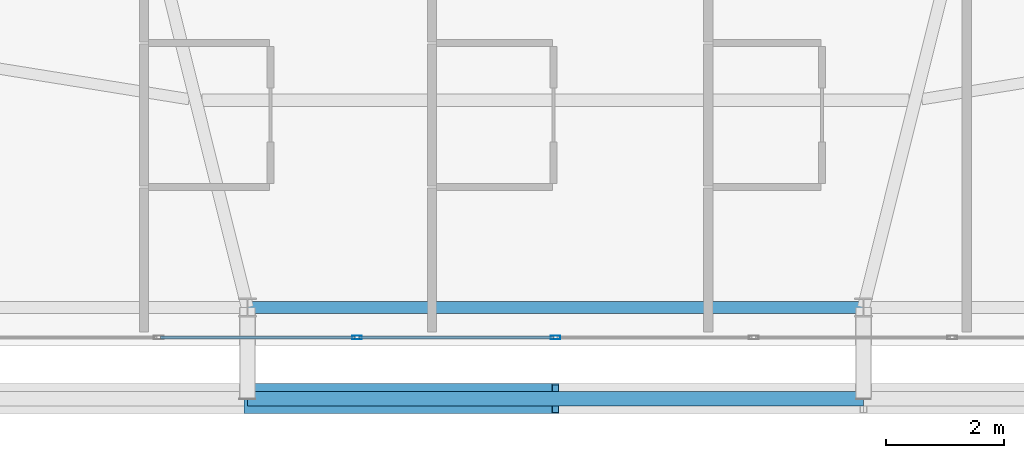
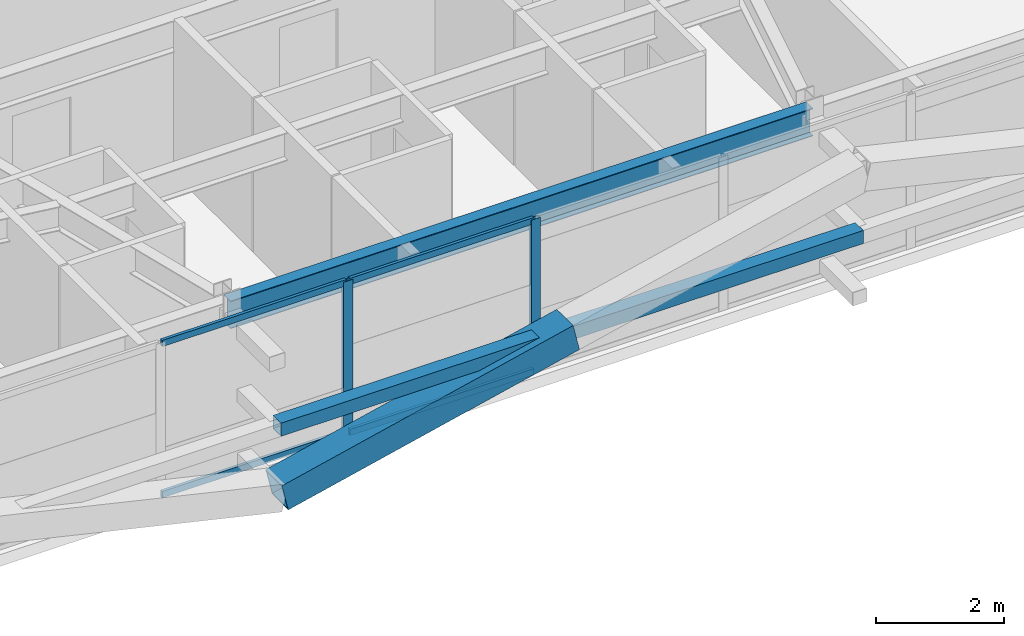
# One storey, part 12 of 59: 8 members, 1 beam, 1 element without a shape of its own.
"""IFC4 building model written with IfcOpenShell, lengths in metres."""

from ifc_helpers import new_model, si_unit, direction, frame, origin, origin_2d, place, context, subcontext, project, spatial, hollow_rectangle, i_section, extrude, source, transform, mapped, material, layer, layer_set, material_profile, profile_set, type_object, element, aggregate, save


model = new_model("IFC4")

# Units and contexts
model_context = context("Model", 3, precision=1e-05, world=origin(), true_north=direction((0.0, 1.0)))
body_context = subcontext(model_context, "Body", "Model", "MODEL_VIEW")
ifc_project = project(units=[si_unit("LENGTHUNIT", "METRE"), si_unit("AREAUNIT", "SQUARE_METRE"), si_unit("VOLUMEUNIT", "CUBIC_METRE"), si_unit("PLANEANGLEUNIT", "RADIAN"), si_unit("MASSUNIT", "GRAM", prefix="KILO")], contexts=[model_context])

# Site, building, storey
site_placement = place(None, origin())
site = spatial("IfcSite", under=ifc_project, at=site_placement, CompositionType="ELEMENT")
building_placement = place(site_placement, origin())
building = spatial("IfcBuilding", under=site, at=building_placement, Name="Taldren Reach Tower", CompositionType="ELEMENT")
storey_placement = place(building_placement, frame((0.0, 0.0, 23.10009765625)))
storey = spatial("IfcBuildingStorey", under=building, at=storey_placement, Name="L06", CompositionType="ELEMENT", Elevation=23.10009765625)

# Beam
ifc_material_1 = material(Name="Steel Gr 350 (350PLUS)", Category="steel")
ifc_material_profile_1 = material_profile(ifc_material_1, i_section(OverallWidth=0.208984375, OverallDepth=0.528076171875, WebThickness=0.009521484375, FlangeThickness=0.01318359375, at=origin_2d()), Name="530UB82.0")
ifc_profile_set_1 = profile_set([ifc_material_profile_1], Name="Steel Gr 350 (350PLUS)")
beam_type = type_object("IfcBeamType", Name="SP-UB530B", PredefinedType="SPANDREL", material=ifc_profile_set_1)
shared_shape_1 = source(origin(), body_context, "Body", "SweptSolid", [
    extrude(i_section(OverallWidth=0.208984375, OverallDepth=0.528076171875, WebThickness=0.009521484375, FlangeThickness=0.01318359375, at=origin_2d()), origin(), (0.0, 0.0, 1.0), 10.47998046875),
])
beam_placement = place(storey_placement, frame((29.760009765625, 2.14990234375, 2.666015625), z_axis=(1.0, 0.0, 0.0), x_axis=(0.0, 1.0, 0.0)))
element("IfcBeam", 1, at=beam_placement, inside=storey, type_object=beam_type, Name="Perimeter spandrel B1 S3-S4 L06", PredefinedType="SPANDREL", context=body_context, shape_type="MappedRepresentation", body=[
    mapped(shared_shape_1, transform((0.0, 0.0, 0.0), scale=1.0)),
])

# Members
ifc_material_2 = material(Name="Steel Gr 450 (C450L0)", Category="steel")
ifc_material_profile_2 = material_profile(ifc_material_2, hollow_rectangle(XDim=0.510009765625, YDim=0.510009765625, WallThickness=0.02001953125, at=origin_2d()), Name="510x510x20.0SHS")
ifc_profile_set_2 = profile_set([ifc_material_profile_2], Name="Steel Gr 450 (C450L0)")
member_type_1 = type_object("IfcMemberType", Name="MB-EXO508", PredefinedType="BRACE", material=ifc_profile_set_2)
shared_shape_2 = source(origin(), body_context, "Body", "SweptSolid", [
    extrude(hollow_rectangle(XDim=0.510009765625, YDim=0.510009765625, WallThickness=0.02001953125, at=origin_2d()), origin(), (0.0, 0.0, 1.0), 5.37890625),
])
member_1_placement = place(storey_placement, frame((29.760009765625, 0.60009765625, 0.219970703125), z_axis=(0.974161966843, 0.0, 0.225850531007), x_axis=(0.0, 1.0, 0.0)))
element("IfcMember", 2, at=member_1_placement, inside=storey, type_object=member_type_1, Name="Exoskeleton Diagrid Brace B1-S3 L06", PredefinedType="BRACE", context=body_context, shape_type="MappedRepresentation", body=[
    mapped(shared_shape_2, transform((0.0, 0.0, 0.0), scale=1.0)),
])
ifc_material_3 = material(Name="Steel Gr 350 (C350L0)", Category="steel")
ifc_material_profile_3 = material_profile(ifc_material_3, hollow_rectangle(XDim=0.25, YDim=0.25, WallThickness=0.010009765625, at=origin_2d()), Name="250x250x10.0SHS")
ifc_profile_set_3 = profile_set([ifc_material_profile_3], Name="Steel Gr 350 (C350L0)")
member_type_2 = type_object("IfcMemberType", Name="MB-POST250", PredefinedType="POST", material=ifc_profile_set_3)
shared_shape_3 = source(origin(), body_context, "Body", "SweptSolid", [
    extrude(hollow_rectangle(XDim=0.25, YDim=0.25, WallThickness=0.010009765625, at=origin_2d()), origin(), (0.0, 0.0, 1.0), 10.47998046875),
])
member_2_placement = place(storey_placement, frame((29.760009765625, 0.60009765625, 1.434814453125), z_axis=(1.0, 0.0, 0.0), x_axis=(0.0, 1.0, 0.0)))
element("IfcMember", 3, at=member_2_placement, inside=storey, type_object=member_type_2, Name="Exoskeleton mid-height ring chord B1-S3 L06", PredefinedType="POST", context=body_context, shape_type="MappedRepresentation", body=[
    mapped(shared_shape_3, transform((0.0, 0.0, 0.0), scale=1.0)),
])

# Curtain wall, members
ifc_material_4 = material(Name="Aluminium and Low-E Glass Unitised System", Category="aluminium")
ifc_layer = layer(ifc_material_4, 0.159912109375)
ifc_layer_set = layer_set([ifc_layer], Name="Aluminium and Low-E Glass Unitised System")
curtain_wall_type = type_object("IfcCurtainWallType", Name="CW-SYS-2", PredefinedType="NOTDEFINED", material=ifc_layer_set)
curtain_wall_placement = place(storey_placement, origin())
curtain_wall = element("IfcCurtainWall", 4, at=curtain_wall_placement, inside=storey, type_object=curtain_wall_type, Name="Unitised curtain wall CW-L06-S", PredefinedType="NOTDEFINED")
ifc_material_5 = material(Name="Anodised Aluminium 6063-T6", Category="aluminium")
ifc_material_profile_4 = material_profile(ifc_material_5, hollow_rectangle(XDim=0.06494140625, YDim=0.1650390625, WallThickness=0.00390625, at=origin_2d()), Name="ALU-165x65x4RHS")
ifc_profile_set_4 = profile_set([ifc_material_profile_4], Name="Anodised Aluminium 6063-T6")
member_type_3 = type_object("IfcMemberType", Name="CW-MUL-165", PredefinedType="MULLION", material=ifc_profile_set_4)
shared_shape_4 = source(origin(), body_context, "Body", "SweptSolid", [
    extrude(hollow_rectangle(XDim=0.06494140625, YDim=0.1650390625, WallThickness=0.00390625, at=origin_2d()), origin(), (0.0, 0.0, 1.0), 2.929931640625),
])
member_3_placement = place(storey_placement, frame((31.625, 1.639892578125, 0.0), z_axis=(0.0, 0.0, 1.0), x_axis=(0.0, 1.0, 0.0)))
member_3 = element("IfcMember", 5, at=member_3_placement, type_object=member_type_3, Name="CW-2 mullion 8", PredefinedType="MULLION", context=body_context, shape_type="MappedRepresentation", body=[
    mapped(shared_shape_4, transform((0.0, 0.0, 0.0), scale=1.0)),
])
member_4_placement = place(storey_placement, frame((35.0, 1.639892578125, 0.0), z_axis=(0.0, 0.0, 1.0), x_axis=(0.0, 1.0, 0.0)))
member_4 = element("IfcMember", 6, at=member_4_placement, type_object=member_type_3, Name="CW-2 mullion 9", PredefinedType="MULLION", context=body_context, shape_type="MappedRepresentation", body=[
    mapped(shared_shape_4, transform((0.0, 0.0, 0.0), scale=1.0)),
])
ifc_material_profile_5 = material_profile(ifc_material_5, hollow_rectangle(XDim=0.054931640625, YDim=0.1201171875, WallThickness=0.0029296875, at=origin_2d()), Name="ALU-120x55x3RHS")
ifc_profile_set_5 = profile_set([ifc_material_profile_5], Name="Anodised Aluminium 6063-T6")
member_type_4 = type_object("IfcMemberType", Name="CW-TRN-135", PredefinedType="USERDEFINED", material=ifc_profile_set_5)
shared_shape_5 = source(origin(), body_context, "Body", "SweptSolid", [
    extrude(hollow_rectangle(XDim=0.054931640625, YDim=0.1201171875, WallThickness=0.0029296875, at=origin_2d()), origin(), (0.0, 0.0, 1.0), 3.31005859375),
])
member_5_placement = place(storey_placement, frame((28.282470703125, 1.639892578125, 0.02734375), z_axis=(1.0, 0.0, 0.0), x_axis=(0.0, 1.0, 0.0)))
member_5 = element("IfcMember", 7, at=member_5_placement, type_object=member_type_4, Name="CW-2 transom 7.1", ObjectType="TRANSOM", PredefinedType="USERDEFINED", context=body_context, shape_type="MappedRepresentation", body=[
    mapped(shared_shape_5, transform((0.0, 0.0, 0.0), scale=1.0)),
])
member_6_placement = place(storey_placement, frame((28.282470703125, 1.639892578125, 2.90234375), z_axis=(1.0, 0.0, 0.0), x_axis=(0.0, 1.0, 0.0)))
member_6 = element("IfcMember", 8, at=member_6_placement, type_object=member_type_4, Name="CW-2 transom 7.2", ObjectType="TRANSOM", PredefinedType="USERDEFINED", context=body_context, shape_type="MappedRepresentation", body=[
    mapped(shared_shape_5, transform((0.0, 0.0, 0.0), scale=1.0)),
])
member_7_placement = place(storey_placement, frame((31.657470703125, 1.639892578125, 0.02734375), z_axis=(1.0, 0.0, 0.0), x_axis=(0.0, 1.0, 0.0)))
member_7 = element("IfcMember", 9, at=member_7_placement, type_object=member_type_4, Name="CW-2 transom 8.1", ObjectType="TRANSOM", PredefinedType="USERDEFINED", context=body_context, shape_type="MappedRepresentation", body=[
    mapped(shared_shape_5, transform((0.0, 0.0, 0.0), scale=1.0)),
])
member_8_placement = place(storey_placement, frame((31.657470703125, 1.639892578125, 2.90234375), z_axis=(1.0, 0.0, 0.0), x_axis=(0.0, 1.0, 0.0)))
member_8 = element("IfcMember", 10, at=member_8_placement, type_object=member_type_4, Name="CW-2 transom 8.2", ObjectType="TRANSOM", PredefinedType="USERDEFINED", context=body_context, shape_type="MappedRepresentation", body=[
    mapped(shared_shape_5, transform((0.0, 0.0, 0.0), scale=1.0)),
])
aggregate(curtain_wall, [member_3, member_4, member_5, member_6, member_7, member_8])

save(model, "model.ifc")
